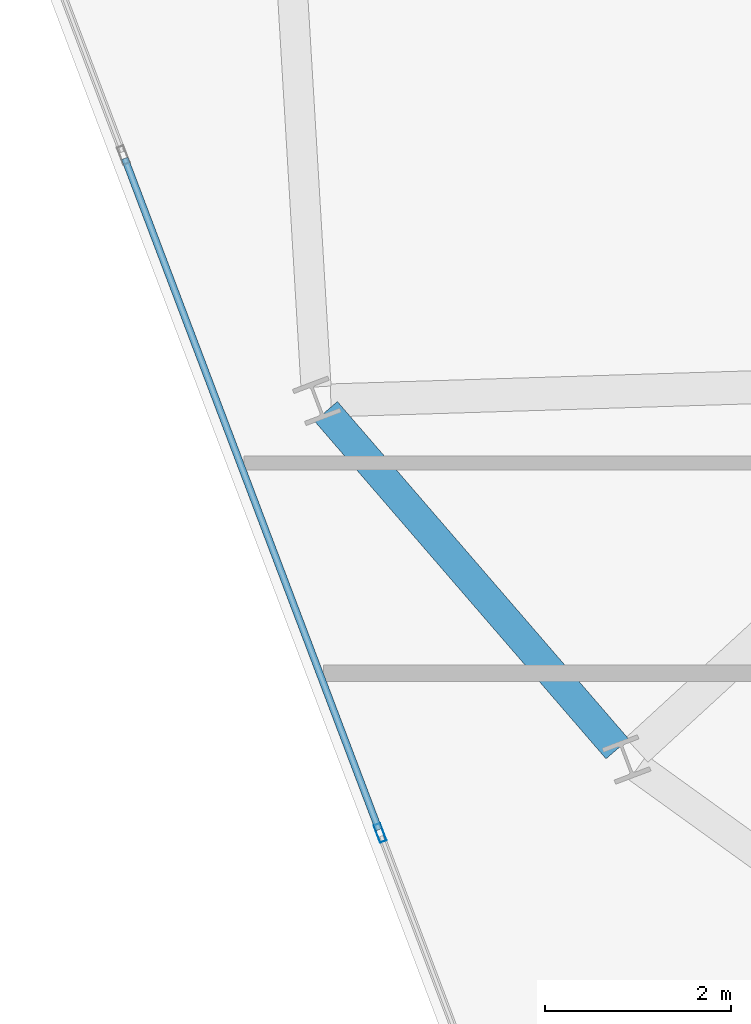
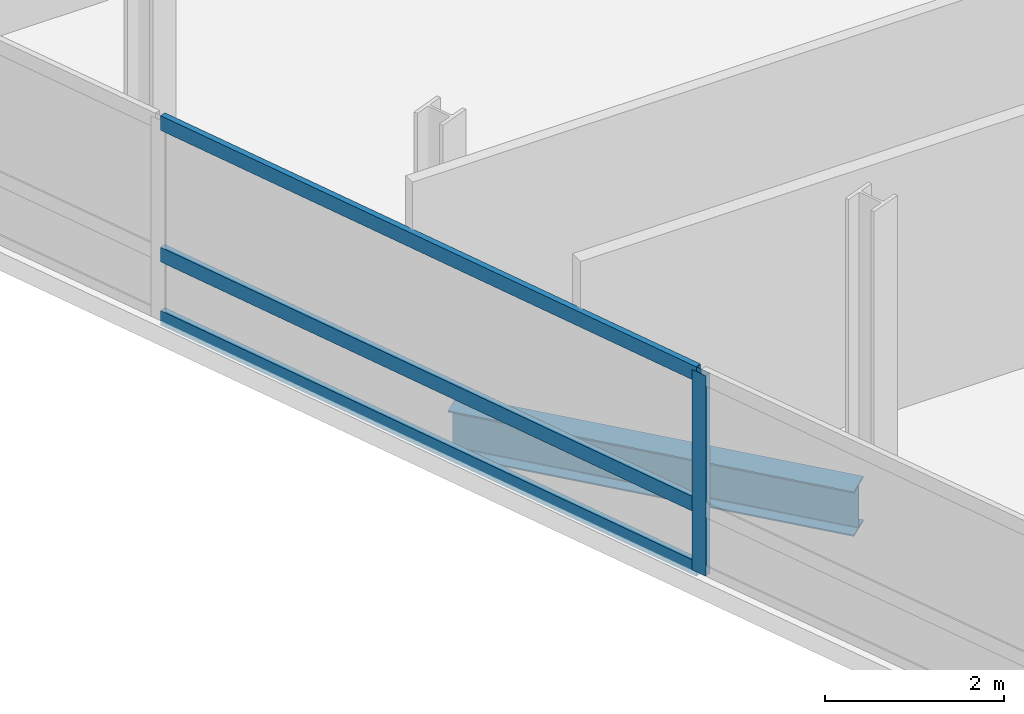
# One storey, part 5 of 19: 4 members, 1 beam, 1 element without a shape of its own.
"""IFC4 building model written with IfcOpenShell, lengths in metres."""

import ifcopenshell
import ifcopenshell.guid

model = None  # the IFC model being written
_history = None  # IfcOwnerHistory: only IFC2X3 demands one
_inside = {}  # id of a spatial element -> (the spatial element, [elements in it])
_under = {}  # id of a project, library or spatial element -> (it, [spatial elements below it])
_declared = {}  # id of a project -> (the project, [libraries it declares])
_typed = {}  # id of a type object -> (the type object, [elements of that type])
_made_of = {}  # id of a material, layer set ... -> (it, [elements and type objects made of it])


def new_model(schema):
    """Start an empty IFC model of exactly this schema.

    Asked for "IFC4X3", IfcOpenShell would pick the latest addendum, in which some entities
    have other attributes; the version numbers below select the first issue.
    IFC2X3 requires an IfcOwnerHistory on every rooted entity: one is made here for all.
    """
    global model, _history
    if schema == "IFC4X3":
        model = ifcopenshell.file(schema_version=(4, 3, 0, 0))
    else:
        model = ifcopenshell.file(schema=schema)
    _inside.clear()
    _under.clear()
    _declared.clear()
    _typed.clear()
    _made_of.clear()
    _history = None
    if model.schema == "IFC2X3":
        org = make("IfcOrganization", Name="unknown")
        user = make(
            "IfcPersonAndOrganization",
            ThePerson=make("IfcPerson", FamilyName="unknown"),
            TheOrganization=org,
        )
        app = make(
            "IfcApplication",
            ApplicationDeveloper=org,
            Version="unknown",
            ApplicationFullName="unknown",
            ApplicationIdentifier="unknown",
        )
        _history = make(
            "IfcOwnerHistory",
            OwningUser=user,
            OwningApplication=app,
            ChangeAction="ADDED",
            CreationDate=0,
        )
    return model


def make(cls, **values):
    """One entity of the class cls with the attributes given. An attribute that is None is left unset."""
    return model.create_entity(
        cls, **{name: value for name, value in values.items() if value is not None}
    )


def rooted(cls, **values):
    """An entity with a GlobalId (a new one), such as an element, a storey or a relation."""
    return make(cls, GlobalId=ifcopenshell.guid.new(), OwnerHistory=_history, **values)


def si_unit(unit_type, name, prefix=None):
    """IfcSIUnit, for example si_unit("LENGTHUNIT", "METRE", prefix="MILLI")."""
    return make("IfcSIUnit", UnitType=unit_type, Prefix=prefix, Name=name)


def assignment(units):
    """IfcUnitAssignment: the units of a project."""
    return None if units is None else make("IfcUnitAssignment", Units=units)


def point(xyz):
    """IfcCartesianPoint."""
    return None if xyz is None else make("IfcCartesianPoint", Coordinates=xyz)


def direction(xyz):
    """IfcDirection."""
    return None if xyz is None else make("IfcDirection", DirectionRatios=xyz)


def frame(location, z_axis=None, x_axis=None):
    """IfcAxis2Placement3D, a coordinate frame: its origin and axes. An axis left out is left unset."""
    return make(
        "IfcAxis2Placement3D",
        Location=point(location),
        Axis=direction(z_axis),
        RefDirection=direction(x_axis),
    )


def frame_2d(location, x_axis=None):
    """IfcAxis2Placement2D, a coordinate frame in the plane: its origin and x axis."""
    return make(
        "IfcAxis2Placement2D", Location=point(location), RefDirection=direction(x_axis)
    )


def origin():
    """The frame at (0, 0, 0) with its axes left unset."""
    return frame((0.0, 0.0, 0.0))


def origin_2d():
    """The frame at (0, 0) in the plane with its x axis left unset."""
    return frame_2d((0.0, 0.0))


def place(relative_to, where):
    """IfcLocalPlacement: puts the frame where relative to a parent placement (None: the world)."""
    return make(
        "IfcLocalPlacement", PlacementRelTo=relative_to, RelativePlacement=where
    )


def context(
    kind, dimensions, precision=None, world=None, true_north=None, identifier=None
):
    """IfcGeometricRepresentationContext, for example the 3D "Model" context."""
    return make(
        "IfcGeometricRepresentationContext",
        ContextIdentifier=identifier,
        ContextType=kind,
        CoordinateSpaceDimension=dimensions,
        Precision=precision,
        WorldCoordinateSystem=world,
        TrueNorth=true_north,
    )


def subcontext(parent, identifier, kind, view, scale=None):
    """IfcGeometricRepresentationSubContext, for example "Body" below "Model"."""
    return make(
        "IfcGeometricRepresentationSubContext",
        ContextIdentifier=identifier,
        ContextType=kind,
        ParentContext=parent,
        TargetScale=scale,
        TargetView=view,
    )


def project(units=None, contexts=None):
    """IfcProject with its units and contexts."""
    return rooted(
        "IfcProject",
        Name="project",
        RepresentationContexts=contexts,
        UnitsInContext=assignment(units),
    )


def spatial(cls, under=None, at=None, **own):
    """A site, building, storey or space (cls), placed at a placement, below another one or the project."""
    s = rooted(cls, ObjectPlacement=at, **own)
    if under is not None:
        _under.setdefault(under.id(), (under, []))[1].append(s)
    return s


def profile(cls, at=None, kind="AREA", **sizes):
    """A parametric profile (cls). Its sizes go by their IFC names, for example OverallWidth=200.0."""
    return make(cls, ProfileType=kind, Position=at, **sizes)


def hollow_rectangle(**sizes):
    """IfcRectangleHollowProfileDef."""
    return profile("IfcRectangleHollowProfileDef", **sizes)


def i_section(**sizes):
    """IfcIShapeProfileDef."""
    return profile("IfcIShapeProfileDef", **sizes)


def extrude(swept, where, along, depth):
    """IfcExtrudedAreaSolid: the profile swept, set in the frame where, extruded along a direction by depth."""
    return make(
        "IfcExtrudedAreaSolid",
        SweptArea=swept,
        Position=where,
        ExtrudedDirection=direction(along),
        Depth=depth,
    )


def shape(context_of_items, identifier, shape_type, items):
    """IfcShapeRepresentation: the items that make up one representation, for example the "Body"."""
    return make(
        "IfcShapeRepresentation",
        ContextOfItems=context_of_items,
        RepresentationIdentifier=identifier,
        RepresentationType=shape_type,
        Items=items,
    )


def material(Name=None, Category=None):
    """IfcMaterial."""
    return make("IfcMaterial", Name=Name, Category=Category)


def layer(
    of_material, thickness, ventilated=None, Name=None, Category=None, Priority=None
):
    """IfcMaterialLayer: one layer of a wall or slab, of a material (None: an air gap)."""
    return make(
        "IfcMaterialLayer",
        Material=of_material,
        LayerThickness=thickness,
        IsVentilated=ventilated,
        Name=Name,
        Category=Category,
        Priority=Priority,
    )


def layer_set(layers, Name=None):
    """IfcMaterialLayerSet."""
    return make("IfcMaterialLayerSet", MaterialLayers=layers, LayerSetName=Name)


def material_profile(
    of_material, cross_section, Name=None, Category=None, Priority=None
):
    """IfcMaterialProfile: a cross section and its material."""
    return make(
        "IfcMaterialProfile",
        Name=Name,
        Material=of_material,
        Profile=cross_section,
        Priority=Priority,
        Category=Category,
    )


def profile_set(profiles, Name=None, composite=None):
    """IfcMaterialProfileSet."""
    return make(
        "IfcMaterialProfileSet",
        Name=Name,
        MaterialProfiles=profiles,
        CompositeProfile=composite,
    )


def made_of(thing, what):
    """Note that an element or type object is made of a material, layer set ...; save() writes the relation."""
    if what is not None:
        _made_of.setdefault(what.id(), (what, []))[1].append(thing)
    return thing


def type_object(cls, material=None, **own):
    """A type object (cls), such as IfcWallType, which elements share."""
    return made_of(rooted(cls, **own), material)


def element(
    cls,
    number,
    at=None,
    inside=None,
    cuts=None,
    type_object=None,
    material=None,
    context=None,
    identifier="Body",
    shape_type=None,
    held_by="IfcProductDefinitionShape",
    body=None,
    shapes=None,
    **own,
):
    """One element of the class cls, such as IfcWall. Its Tag is "e" and its number.

    at: its placement. inside: the storey or other place that contains it. cuts: it is an
    opening in that element (IfcRelVoidsElement). A single representation is given by context,
    identifier, shape_type and body (its items); several are given by shapes. held_by: the class
    of the entity that holds the representations. save() writes the other relations.
    """
    e = rooted(cls, Tag="e%d" % number, ObjectPlacement=at, **own)
    if body is not None:
        shapes = [shape(context, identifier, shape_type, body)]
    if shapes is not None:
        e.Representation = make(held_by, Representations=shapes)
    if inside is not None:
        _inside.setdefault(inside.id(), (inside, []))[1].append(e)
    if cuts is not None:
        rooted(
            "IfcRelVoidsElement", RelatingBuildingElement=cuts, RelatedOpeningElement=e
        )
    if type_object is not None:
        _typed.setdefault(type_object.id(), (type_object, []))[1].append(e)
    return made_of(e, material)


def aggregate(whole, parts):
    """IfcRelAggregates: a whole, such as a stair, and the parts it consists of."""
    return rooted("IfcRelAggregates", RelatingObject=whole, RelatedObjects=parts)


def save(model, path):
    """Write the relations noted so far, then the file.

    IfcRelAggregates (storeys below a building ...), IfcRelContainedInSpatialStructure (elements
    in a storey), IfcRelDefinesByType, IfcRelAssociatesMaterial and IfcRelDeclares: one each for
    every whole, place, type object, material and project.
    """
    for whole, parts in _under.values():
        aggregate(whole, parts)
    for where, things in _inside.values():
        rooted(
            "IfcRelContainedInSpatialStructure",
            RelatedElements=things,
            RelatingStructure=where,
        )
    for kind, things in _typed.values():
        rooted("IfcRelDefinesByType", RelatedObjects=things, RelatingType=kind)
    for what, things in _made_of.values():
        rooted("IfcRelAssociatesMaterial", RelatedObjects=things, RelatingMaterial=what)
    for by, libraries in _declared.values():
        rooted("IfcRelDeclares", RelatingContext=by, RelatedDefinitions=libraries)
    model.write(path)


model = new_model("IFC4")

# Units and contexts
model_context = context("Model", 3, precision=1e-05, world=origin(), true_north=direction((0.0, 1.0)))
body_context = subcontext(model_context, "Body", "Model", "MODEL_VIEW")
ifc_project = project(units=[si_unit("LENGTHUNIT", "METRE"), si_unit("AREAUNIT", "SQUARE_METRE"), si_unit("VOLUMEUNIT", "CUBIC_METRE"), si_unit("PLANEANGLEUNIT", "RADIAN"), si_unit("MASSUNIT", "GRAM", prefix="KILO")], contexts=[model_context])

# Site, building, storey
site_placement = place(None, origin())
site = spatial("IfcSite", under=ifc_project, at=site_placement, CompositionType="ELEMENT")
building_placement = place(site_placement, origin())
building = spatial("IfcBuilding", under=site, at=building_placement, Name="Varnelok Gate Tower", CompositionType="ELEMENT")
storey_placement = place(building_placement, frame((0.0, 0.0, 231.199951171875)))
storey = spatial("IfcBuildingStorey", under=building, at=storey_placement, Name="L59", CompositionType="ELEMENT", Elevation=231.199951171875)

# Beam
ifc_material_1 = material(Name="Structural Steel ASTM A992 Grade 50", Category="steel")
ifc_material_profile_1 = material_profile(ifc_material_1, i_section(OverallWidth=0.323974609375, OverallDepth=0.611083984375, WebThickness=0.0126953125, FlangeThickness=0.01904296875, FilletRadius=0.01806640625, at=origin_2d()), Name="W24X104")
ifc_profile_set_1 = profile_set([ifc_material_profile_1], Name="Structural Steel ASTM A992 Grade 50")
beam_type = type_object("IfcBeamType", Name="BM-SPN-W24X104", PredefinedType="SPANDREL", material=ifc_profile_set_1)
beam_placement = place(storey_placement, frame((7.79248046875, 18.1669921875, -0.555419921875), z_axis=(0.653484787698, -0.756939649013, 0.0), x_axis=(0.756939649013, 0.653484787698, 0.0)))
element("IfcBeam", 1, at=beam_placement, inside=storey, type_object=beam_type, Name="L59 Perimeter Spandrel Beam 15", PredefinedType="SPANDREL", context=body_context, shape_type="SweptSolid", body=[
    extrude(i_section(OverallWidth=0.323974609375, OverallDepth=0.611083984375, WebThickness=0.0126953125, FlangeThickness=0.01904296875, FilletRadius=0.01806640625, at=origin_2d()), origin(), (0.0, 0.0, 1.0), 4.800048828125),
])

# Curtain wall, members
ifc_material_2 = material(Name="Anodized Aluminum Alloy 6063-T6", Category="aluminium")
ifc_layer = layer(ifc_material_2, 0.179931640625)
ifc_layer_set = layer_set([ifc_layer], Name="Anodized Aluminum Alloy 6063-T6")
curtain_wall_type = type_object("IfcCurtainWallType", Name="CW4-RESIDENCE-VISION", PredefinedType="USERDEFINED", material=ifc_layer_set)
curtain_wall_placement = place(storey_placement, origin())
curtain_wall = element("IfcCurtainWall", 2, at=curtain_wall_placement, inside=storey, type_object=curtain_wall_type, Name="L59 West End Vision Curtain Wall", ObjectType="UNITISED CURTAIN WALL", PredefinedType="USERDEFINED")
ifc_material_profile_2 = material_profile(ifc_material_2, hollow_rectangle(XDim=0.074951171875, YDim=0.199951171875, WallThickness=0.00390625, at=origin_2d()), Name="ALU200X75X4")
ifc_profile_set_2 = profile_set([ifc_material_profile_2], Name="Anodized Aluminum Alloy 6063-T6")
member_type_1 = type_object("IfcMemberType", Name="CW-MULL-200", PredefinedType="MULLION", material=ifc_profile_set_2)
member_1_placement = place(storey_placement, frame((8.375, 13.630126953125, 0.0), z_axis=(0.0, 0.0, 1.0), x_axis=(-0.935221557832, -0.354063042079, 0.0)))
member_1 = element("IfcMember", 3, at=member_1_placement, type_object=member_type_1, Name="CW4 mullion 3", PredefinedType="MULLION", context=body_context, shape_type="SweptSolid", body=[
    extrude(hollow_rectangle(XDim=0.074951171875, YDim=0.199951171875, WallThickness=0.00390625, at=origin_2d()), origin(), (0.0, 0.0, 1.0), 2.72998046875),
])
ifc_material_profile_3 = material_profile(ifc_material_2, hollow_rectangle(XDim=0.074951171875, YDim=0.199951171875, WallThickness=0.00390625, at=origin_2d()), Name="ALU200X75X4")
ifc_profile_set_3 = profile_set([ifc_material_profile_3], Name="Anodized Aluminum Alloy 6063-T6")
member_type_2 = type_object("IfcMemberType", Name="CW-TRAN-200", PredefinedType="USERDEFINED", material=ifc_profile_set_3)
member_2_placement = place(storey_placement, frame((8.36181640625, 13.665283203125, 0.03759765625), z_axis=(-0.354058714128, 0.935223196328, 0.0), x_axis=(-0.935223196328, -0.354058714128, 0.0)))
member_2 = element("IfcMember", 4, at=member_2_placement, type_object=member_type_2, Name="CW4 transom 3.1", ObjectType="TRANSOM", PredefinedType="USERDEFINED", context=body_context, shape_type="SweptSolid", body=[
    extrude(hollow_rectangle(XDim=0.074951171875, YDim=0.199951171875, WallThickness=0.00390625, at=origin_2d()), origin(), (0.0, 0.0, 1.0), 7.72509765625),
])
member_3_placement = place(storey_placement, frame((8.36181640625, 13.665283203125, 0.900146484375), z_axis=(-0.354058714128, 0.935223196328, 0.0), x_axis=(-0.935223196328, -0.354058714128, 0.0)))
member_3 = element("IfcMember", 5, at=member_3_placement, type_object=member_type_2, Name="CW4 transom 3.2", ObjectType="TRANSOM", PredefinedType="USERDEFINED", context=body_context, shape_type="SweptSolid", body=[
    extrude(hollow_rectangle(XDim=0.074951171875, YDim=0.199951171875, WallThickness=0.00390625, at=origin_2d()), origin(), (0.0, 0.0, 1.0), 7.72509765625),
])
member_4_placement = place(storey_placement, frame((8.36181640625, 13.665283203125, 2.692626953125), z_axis=(-0.354058714128, 0.935223196328, 0.0), x_axis=(-0.935223196328, -0.354058714128, 0.0)))
member_4 = element("IfcMember", 6, at=member_4_placement, type_object=member_type_2, Name="CW4 transom 3.3", ObjectType="TRANSOM", PredefinedType="USERDEFINED", context=body_context, shape_type="SweptSolid", body=[
    extrude(hollow_rectangle(XDim=0.074951171875, YDim=0.199951171875, WallThickness=0.00390625, at=origin_2d()), origin(), (0.0, 0.0, 1.0), 7.72509765625),
])
aggregate(curtain_wall, [member_1, member_2, member_3, member_4])

save(model, "model.ifc")
